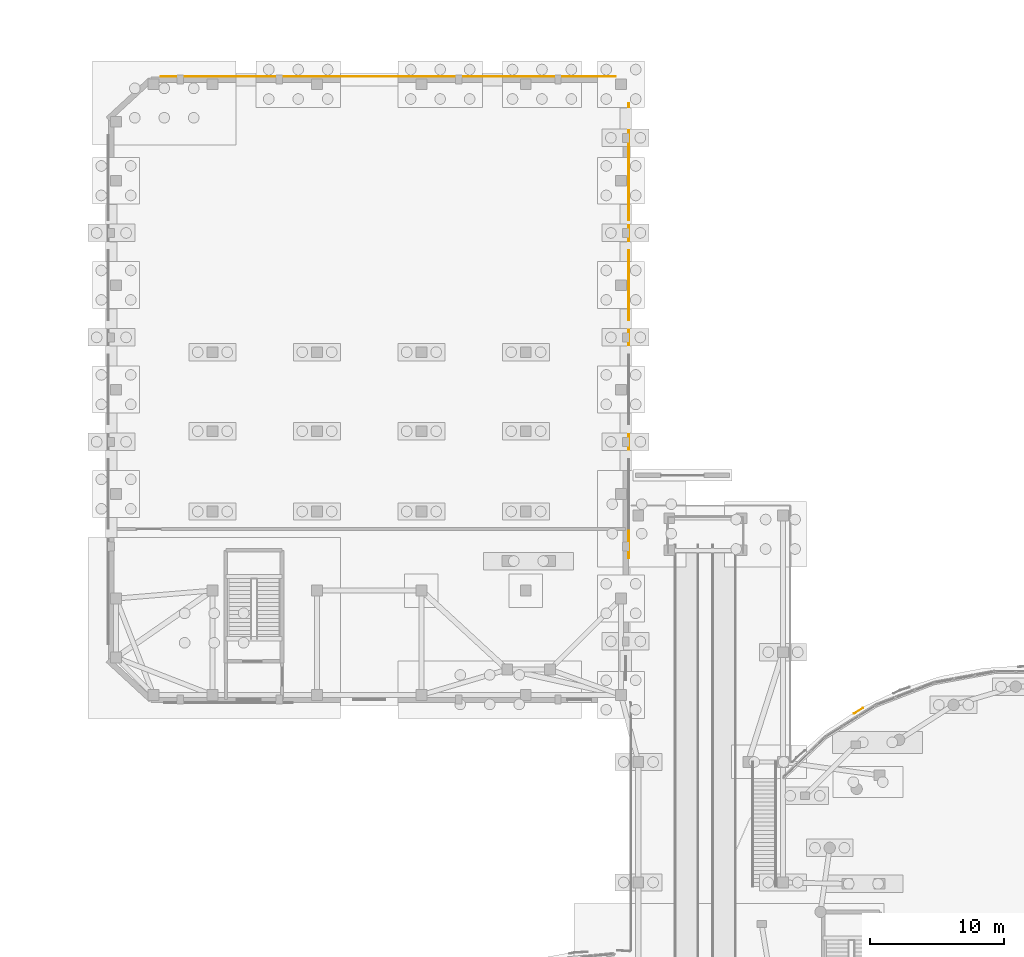
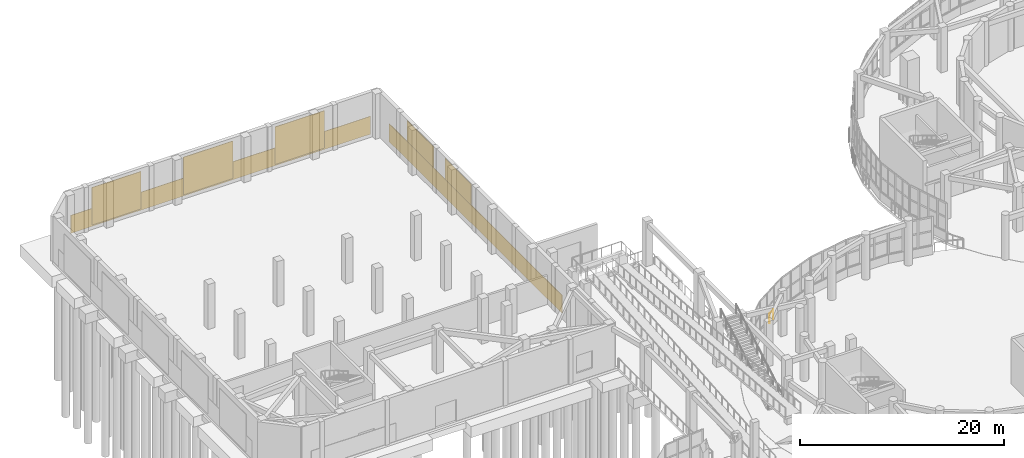
# One storey, part 88 of 96: 7 coverings, 1 railing.
"""IFC4 building model written with IfcOpenShell, lengths in metres."""

from ifc_helpers import new_model, si_unit, direction, frame, origin, origin_2d, place, context, subcontext, project, spatial, rectangle, circle, extrude, material, layer, layer_set, type_object, element, save


model = new_model("IFC4")

# Units and contexts
model_context = context("Model", 3, precision=1e-05, world=origin(), true_north=direction((0.0, 1.0)))
body_context = subcontext(model_context, "Body", "Model", "MODEL_VIEW")
ifc_project = project(units=[si_unit("LENGTHUNIT", "METRE"), si_unit("AREAUNIT", "SQUARE_METRE"), si_unit("VOLUMEUNIT", "CUBIC_METRE"), si_unit("PLANEANGLEUNIT", "RADIAN"), si_unit("MASSUNIT", "GRAM", prefix="KILO")], contexts=[model_context])

# Site, building, storey
site_placement = place(None, origin())
site = spatial("IfcSite", under=ifc_project, at=site_placement, CompositionType="ELEMENT")
building_placement = place(site_placement, origin())
building = spatial("IfcBuilding", under=site, at=building_placement, Name="Pelvatis Terrace Science Centre", CompositionType="ELEMENT")
storey_placement = place(building_placement, origin())
storey = spatial("IfcBuildingStorey", under=building, at=storey_placement, Name="L00", CompositionType="ELEMENT", Elevation=0.0)

# Coverings
ifc_material_1 = material(Name="Polished black Uruguayan granite ashlar cladding", Category="masonry")
ifc_layer_1 = layer(ifc_material_1, 0.050048828125)
ifc_layer_set_1 = layer_set([ifc_layer_1], Name="Polished black Uruguayan granite ashlar cladding")
covering_type_1 = type_object("IfcCoveringType", Name="COV-CLAD-GRAN-50", PredefinedType="CLADDING", material=ifc_layer_set_1)
covering_1_placement = place(storey_placement, frame((28.72509765625, 116.97998046875, 0.050048828125), z_axis=(0.0, 0.0, 1.0), x_axis=(1.0, 0.0, 0.0)))
element("IfcCovering", 1, at=covering_1_placement, inside=storey, type_object=covering_type_1, Name="Theatre black granite ashlar plinth N", PredefinedType="CLADDING", context=body_context, shape_type="SweptSolid", body=[
    extrude(rectangle(XDim=34.0, YDim=0.050048828125, at=origin_2d()), origin(), (0.0, 0.0, 1.0), 2.14990234375),
])
covering_2_placement = place(storey_placement, frame((46.679931640625, 98.0, 0.050048828125), z_axis=(0.0, 0.0, 1.0), x_axis=(1.0, 0.0, 0.0)))
element("IfcCovering", 2, at=covering_2_placement, inside=storey, type_object=covering_type_1, Name="Theatre black granite ashlar plinth E", PredefinedType="CLADDING", context=body_context, shape_type="SweptSolid", body=[
    extrude(rectangle(XDim=0.050048828125, YDim=34.0, at=origin_2d()), origin(), (0.0, 0.0, 1.0), 2.14990234375),
])
ifc_material_2 = material(Name="Fluted warm stone-aggregate precast facade relief panel", Category="masonry")
ifc_layer_2 = layer(ifc_material_2, 0.054931640625)
ifc_layer_set_2 = layer_set([ifc_layer_2], Name="Fluted warm stone-aggregate precast facade relief panel")
covering_type_2 = type_object("IfcCoveringType", Name="COV-CLAD-PREC-55", PredefinedType="CLADDING", material=ifc_layer_set_2)
for number, where, z_axis, x_axis, name in (
    (3, (16.89990234375, 116.982421875, 0.199951171875), (0.0, 0.0, 1.0), (1.0, 0.0, 0.0), "Theatre fluted Art Deco relief panel N1 (L00)"),
    (4, (27.300048828125, 116.982421875, 0.199951171875), (0.0, 0.0, 1.0), (1.0, 0.0, 0.0), "Theatre fluted Art Deco relief panel N2 (L00)"),
    (5, (37.699951171875, 116.982421875, 0.199951171875), (0.0, 0.0, 1.0), (1.0, 0.0, 0.0), "Theatre fluted Art Deco relief panel N3 (L00)"),
):
    element("IfcCovering", number, at=place(storey_placement, frame(where, z_axis=z_axis, x_axis=x_axis)), inside=storey, type_object=covering_type_2, Name=name, PredefinedType="CLADDING", context=body_context, shape_type="SweptSolid", body=[
        extrude(rectangle(XDim=5.60009765625, YDim=0.054931640625, at=origin_2d()), origin(), (0.0, 0.0, 1.0), 4.5),
    ])
for number, where, z_axis, x_axis, name in (
    (6, (46.6826171875, 101.39990234375, 0.199951171875), (0.0, 0.0, 1.0), (1.0, 0.0, 0.0), "Theatre fluted Art Deco relief panel E3 (L00)"),
    (7, (46.6826171875, 108.85009765625, 0.199951171875), (0.0, 0.0, 1.0), (1.0, 0.0, 0.0), "Theatre fluted Art Deco relief panel E4 (L00)"),
):
    element("IfcCovering", number, at=place(storey_placement, frame(where, z_axis=z_axis, x_axis=x_axis)), inside=storey, type_object=covering_type_2, Name=name, PredefinedType="CLADDING", context=body_context, shape_type="SweptSolid", body=[
        extrude(rectangle(XDim=0.054931640625, YDim=5.199951171875, at=origin_2d()), origin(), (0.0, 0.0, 1.0), 4.5),
    ])

# Railing
ifc_material_3 = material(Name="Bronze-anodised aluminium and laminated safety glass balustrade", Category="aluminium")
railing_type = type_object("IfcRailingType", Name="RLG-BAL-1150", PredefinedType="BALUSTRADE", material=ifc_material_3)
railing_placement = place(storey_placement, frame((63.4921875, 69.407470703125, 0.0)))
element("IfcRailing", 8, at=railing_placement, inside=storey, type_object=railing_type, Name="Perimeter edge balustrade RLG-EDG-L00-017", PredefinedType="BALUSTRADE", context=body_context, shape_type="SweptSolid", body=[
    extrude(circle(Radius=0.02392578125, at=origin_2d()), frame((0.0, 0.0, 1.1259765625), z_axis=(0.846417328081, 0.532520146778, 0.0), x_axis=(-0.532520146778, 0.846417328081, 0.0)), (0.0, 0.0, 1.0), 0.8173828125),
    extrude(circle(Radius=0.02099609375, at=origin_2d()), origin(), (0.0, 0.0, 1.0), 1.101806640625),
    extrude(circle(Radius=0.02099609375, at=origin_2d()), frame((0.69189453125, 0.435302734375, 0.0)), (0.0, 0.0, 1.0), 1.101806640625),
])

save(model, "model.ifc")
